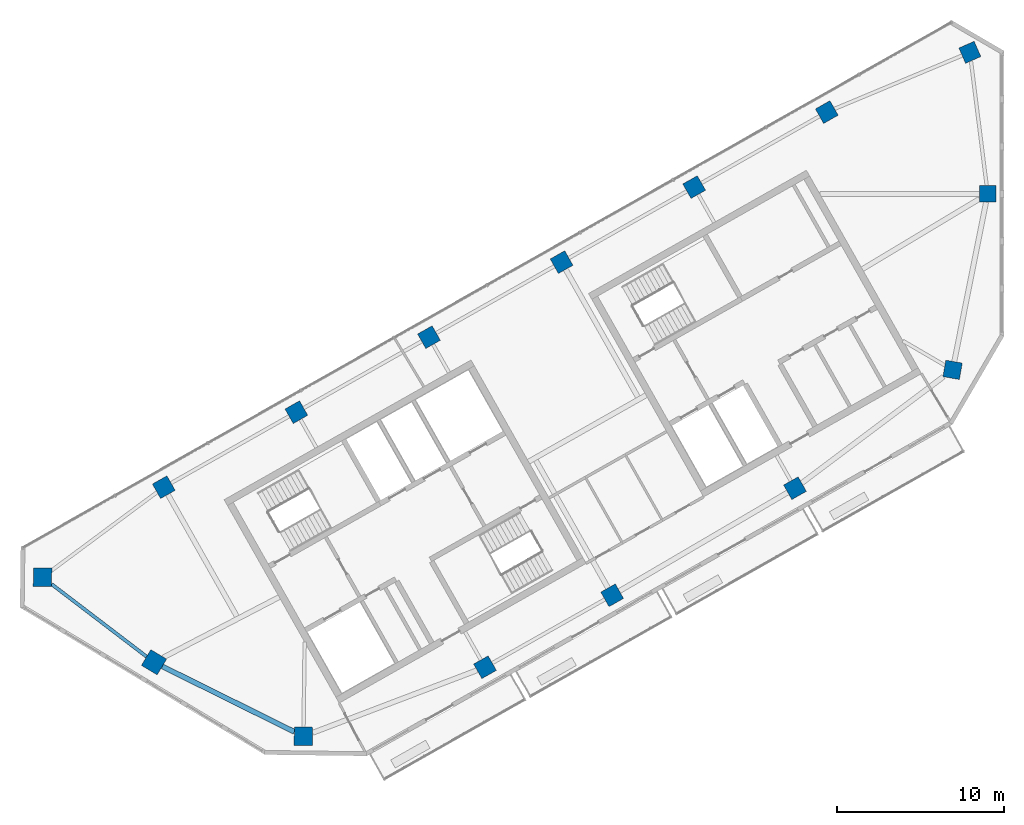
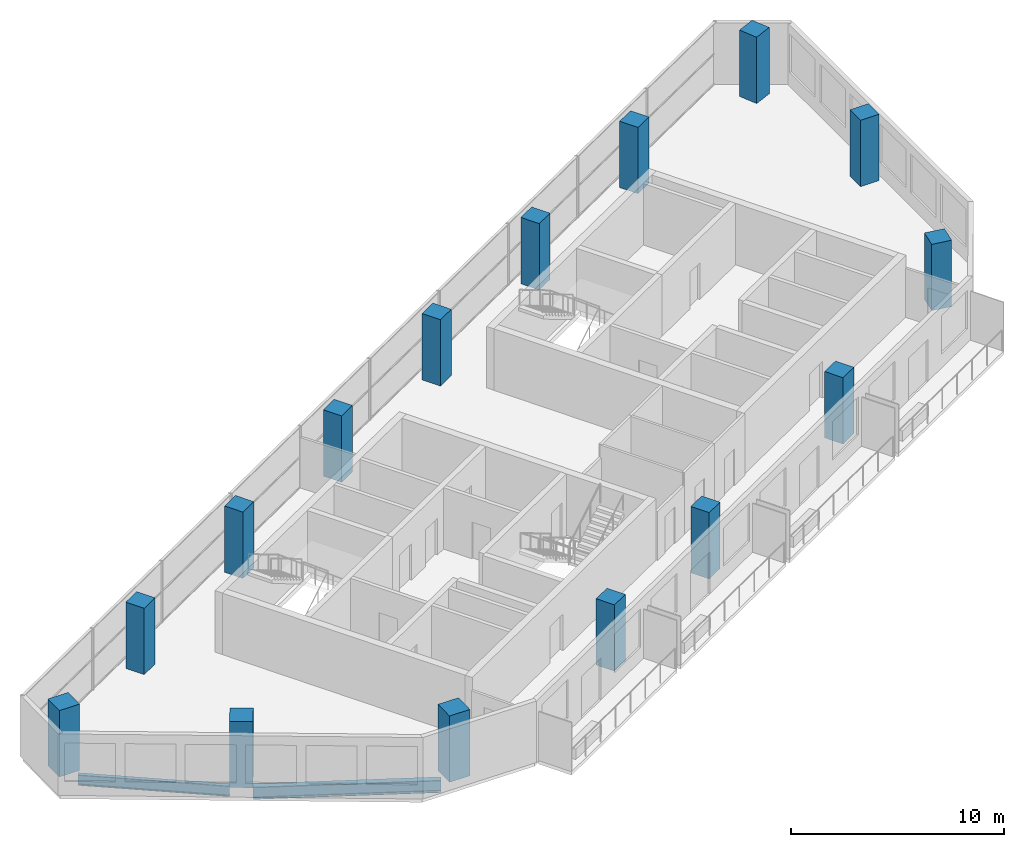
# One storey, part 1 of 10: 15 columns, 2 beams.
"""IFC4 building model written with IfcOpenShell, lengths in metres."""

from ifc_helpers import new_model, si_unit, direction, frame, origin, origin_2d, place, context, subcontext, project, spatial, rectangle, i_section, extrude, material, material_profile, profile_set, type_object, element, save


model = new_model("IFC4")

# Units and contexts
model_context = context("Model", 3, precision=1e-05, world=origin(), true_north=direction((0.0, 1.0)))
body_context = subcontext(model_context, "Body", "Model", "MODEL_VIEW")
ifc_project = project(units=[si_unit("LENGTHUNIT", "METRE"), si_unit("AREAUNIT", "SQUARE_METRE"), si_unit("VOLUMEUNIT", "CUBIC_METRE"), si_unit("PLANEANGLEUNIT", "RADIAN"), si_unit("MASSUNIT", "GRAM", prefix="KILO")], contexts=[model_context])

# Site, building, storey
site_placement = place(None, origin())
site = spatial("IfcSite", under=ifc_project, at=site_placement, CompositionType="ELEMENT")
building_placement = place(site_placement, origin())
building = spatial("IfcBuilding", under=site, at=building_placement, Name="Binnacle Exchange Tower", CompositionType="ELEMENT")
storey_placement = place(building_placement, frame((0.0, 0.0, 335.5)))
storey = spatial("IfcBuildingStorey", under=building, at=storey_placement, Name="L76", CompositionType="ELEMENT", Elevation=335.5)

# Columns
ifc_material_1 = material(Name="Concrete C50/60", Category="concrete")
ifc_material_profile_1 = material_profile(ifc_material_1, rectangle(XDim=1.0, YDim=1.0, at=origin_2d()), Name="Mega column 1000x1000 C50/60")
ifc_profile_set_1 = profile_set([ifc_material_profile_1], Name="Concrete C50/60")
column_type_1 = type_object("IfcColumnType", Name="Mega column 1000x1000 C50/60", PredefinedType="COLUMN", material=ifc_profile_set_1)
for number, where, z_axis, x_axis, name in (
    (1, (-10.4951171875, 64.901611328125, 0.0), (0.0, 0.0, 1.0), (-0.87035569594, -0.492423560103, 0.0), "S:COL:MC38:L76"),
    (2, (-18.44140625, 60.406005859375, 0.0), (0.0, 0.0, 1.0), (-0.87035569594, -0.492423560103, 0.0), "S:COL:MC29:L76"),
    (3, (-26.3876953125, 55.91015625, 0.0), (0.0, 0.0, 1.0), (-0.87035569594, -0.492423560103, 0.0), "S:COL:MC21:L76"),
    (4, (-34.333740234375, 51.414306640625, 0.0), (0.0, 0.0, 1.0), (-0.87035569594, -0.492423560103, 0.0), "S:COL:MC13:L76"),
    (5, (-42.280029296875, 46.918701171875, 0.0), (0.0, 0.0, 1.0), (-0.87035569594, -0.492423560103, 0.0), "S:COL:MC08:L76"),
    (6, (-50.226318359375, 42.4228515625, 0.0), (0.0, 0.0, 1.0), (-0.87035569594, -0.492423560103, 0.0), "S:COL:MC04:L76"),
    (7, (-30.9755859375, 31.63525390625, 0.0), (0.0, 0.0, 1.0), (0.87035569594, 0.492423560103, 0.0), "S:COL:MC07:L76"),
    (8, (-23.35595703125, 35.9462890625, 0.0), (0.0, 0.0, 1.0), (0.87035569594, 0.492423560103, 0.0), "S:COL:MC16:L76"),
    (9, (-2.955322265625, 49.45556640625, 0.0), (0.0, 0.0, 1.0), (-0.98522612636, 0.171258517854, 0.0), "S:COL:MC43:L76"),
    (10, (-0.85009765625, 60.0, 0.0), (0.0, 0.0, 1.0), (0.0, 1.0, 0.0), "S:COL:MC45:L76"),
    (11, (-1.920166015625, 68.4833984375, 0.0), (0.0, 0.0, 1.0), (-0.91471298536, -0.40410413808, 0.0), "S:COL:MC44:L76"),
    (12, (-12.39990234375, 42.36328125, 0.0), (0.0, 0.0, 1.0), (0.87035569594, 0.492423560103, 0.0), "S:COL:MC30:L76"),
):
    element("IfcColumn", number, at=place(storey_placement, frame(where, z_axis=z_axis, x_axis=x_axis)), inside=storey, type_object=column_type_1, Name=name, PredefinedType="COLUMN", context=body_context, shape_type="SweptSolid", body=[
        extrude(rectangle(XDim=1.0, YDim=1.0, at=origin_2d()), origin(), (0.0, 0.0, 1.0), 3.800048828125),
    ])
ifc_material_profile_2 = material_profile(ifc_material_1, rectangle(XDim=1.10009765625, YDim=1.10009765625, at=origin_2d()), Name="Mega column 1100x1100 C50/60")
ifc_profile_set_2 = profile_set([ifc_material_profile_2], Name="Concrete C50/60")
column_type_2 = type_object("IfcColumnType", Name="Mega column 1100x1100 C50/60", PredefinedType="COLUMN", material=ifc_profile_set_2)
for number, where, z_axis, x_axis, name in (
    (13, (-57.492919921875, 37.02734375, 0.0), (0.0, 0.0, 1.0), (-0.013089595571, -0.999914327574, 0.0), "S:COL:MC02:L76"),
    (14, (-50.81201171875, 31.930908203125, 0.0), (0.0, 0.0, 1.0), (0.857167300702, -0.51503807491, 0.0), "S:COL:MC01:L76"),
    (15, (-41.857666015625, 27.494873046875, 0.0), (0.0, 0.0, 1.0), (0.999914327574, -0.013089595571, 0.0), "S:COL:MC03:L76"),
):
    element("IfcColumn", number, at=place(storey_placement, frame(where, z_axis=z_axis, x_axis=x_axis)), inside=storey, type_object=column_type_2, Name=name, PredefinedType="COLUMN", context=body_context, shape_type="SweptSolid", body=[
        extrude(rectangle(XDim=1.10009765625, YDim=1.10009765625, at=origin_2d()), origin(), (0.0, 0.0, 1.0), 3.800048828125),
    ])

# Beams
ifc_material_2 = material(Name="Steel S355 (SHN355)", Category="steel")
ifc_material_profile_3 = material_profile(ifc_material_2, i_section(OverallWidth=0.199951171875, OverallDepth=0.60009765625, WebThickness=0.010986328125, FlangeThickness=0.01708984375, FilletRadius=0.02197265625, at=origin_2d()), Name="H 600x200x11x17")
ifc_profile_set_3 = profile_set([ifc_material_profile_3], Name="Steel S355 (SHN355)")
beam_type_1 = type_object("IfcBeamType", Name="Edge girder H 600x200x11x17 Steel S355 (SHN355)", PredefinedType="SPANDREL", material=ifc_profile_set_3)
beam_1_placement = place(storey_placement, frame((-56.948486328125, 36.612060546875, -0.580078125), z_axis=(0.795078805768, -0.606506135681, 0.0), x_axis=(0.606506135681, 0.795078805768, 0.0)))
element("IfcBeam", 16, at=beam_1_placement, inside=storey, type_object=beam_type_1, Name="S:BM:edge:L76:004", PredefinedType="SPANDREL", context=body_context, shape_type="SweptSolid", body=[
    extrude(i_section(OverallWidth=0.199951171875, OverallDepth=0.60009765625, WebThickness=0.010986328125, FlangeThickness=0.01708984375, FilletRadius=0.02197265625, at=origin_2d()), origin(), (0.0, 0.0, 1.0), 7.164794921875),
])
ifc_material_profile_4 = material_profile(ifc_material_2, i_section(OverallWidth=0.300048828125, OverallDepth=0.699951171875, WebThickness=0.012939453125, FlangeThickness=0.02392578125, FilletRadius=0.028076171875, at=origin_2d()), Name="H 700x300x13x24")
ifc_profile_set_4 = profile_set([ifc_material_profile_4], Name="Steel S355 (SHN355)")
beam_type_2 = type_object("IfcBeamType", Name="Edge girder H 700x300x13x24 Steel S355 (SHN355)", PredefinedType="SPANDREL", material=ifc_profile_set_4)
beam_2_placement = place(storey_placement, frame((-50.3173828125, 31.685791015625, -0.6298828125), z_axis=(0.896057836822, -0.443937330115, 0.0), x_axis=(0.443937330115, 0.896057836822, 0.0)))
element("IfcBeam", 17, at=beam_2_placement, inside=storey, type_object=beam_type_2, Name="S:BM:edge:L76:006", PredefinedType="SPANDREL", context=body_context, shape_type="SweptSolid", body=[
    extrude(i_section(OverallWidth=0.300048828125, OverallDepth=0.699951171875, WebThickness=0.012939453125, FlangeThickness=0.02392578125, FilletRadius=0.028076171875, at=origin_2d()), origin(), (0.0, 0.0, 1.0), 8.8310546875),
])

save(model, "model.ifc")
